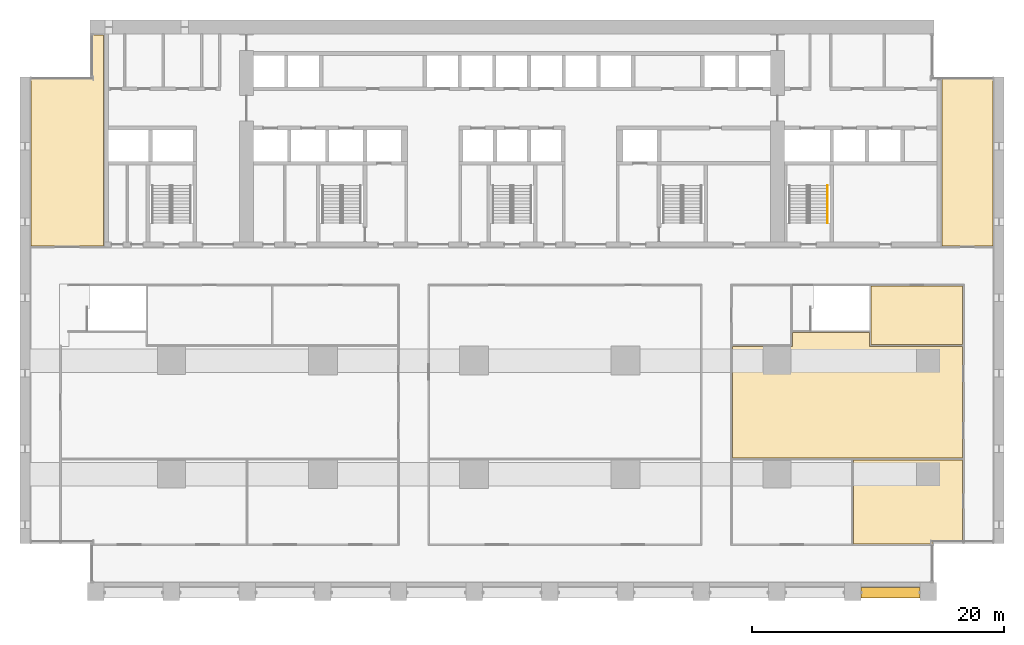
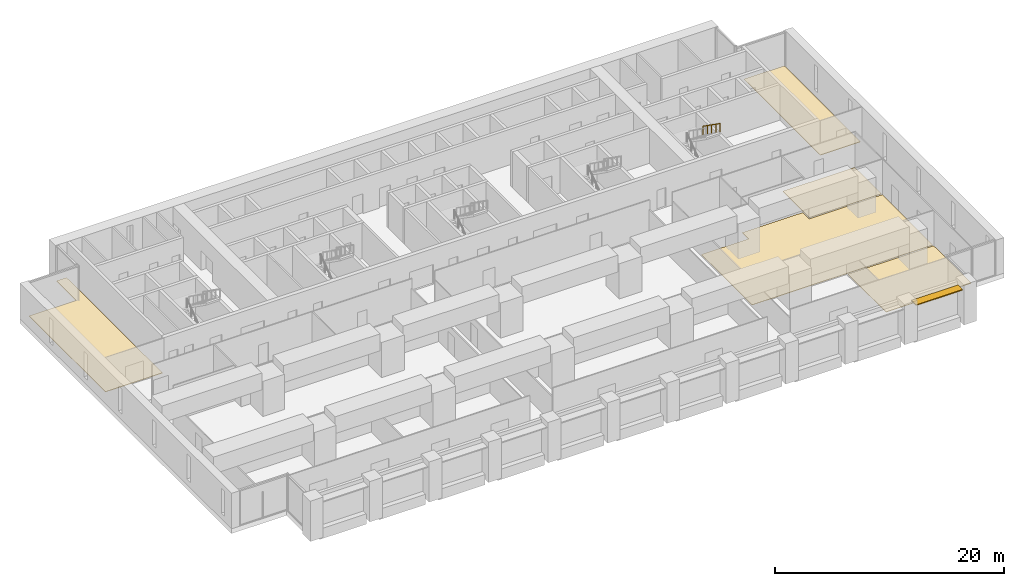
# One storey, part 17 of 17: 5 coverings, 1 railing, 1 shading device, 1 element without a shape of its own.
"""IFC4 building model written with IfcOpenShell, lengths in metres."""

from ifc_helpers import new_model, si_unit, direction, frame, origin, origin_2d, place, context, subcontext, project, spatial, polyline, rectangle, circle, outline, extrude, material, layer, layer_set, material_profile, profile_set, type_object, element, aggregate, save


model = new_model("IFC4")

# Units and contexts
model_context = context("Model", 3, precision=1e-05, world=origin(), true_north=direction((0.0, 1.0)))
body_context = subcontext(model_context, "Body", "Model", "MODEL_VIEW")
ifc_project = project(units=[si_unit("LENGTHUNIT", "METRE"), si_unit("AREAUNIT", "SQUARE_METRE"), si_unit("VOLUMEUNIT", "CUBIC_METRE"), si_unit("PLANEANGLEUNIT", "RADIAN"), si_unit("MASSUNIT", "GRAM", prefix="KILO")], contexts=[model_context])

# Site, building, storey
site_placement = place(None, origin())
site = spatial("IfcSite", under=ifc_project, at=site_placement, CompositionType="ELEMENT")
building_placement = place(site_placement, origin())
building = spatial("IfcBuilding", under=site, at=building_placement, Name="Calvaro Tower", CompositionType="ELEMENT")
storey_placement = place(building_placement, frame((0.0, 0.0, 17.89990234375)))
storey = spatial("IfcBuildingStorey", under=building, at=storey_placement, Name="L03", CompositionType="ELEMENT", Elevation=17.89990234375)

# Shading device
ifc_material_1 = material(Name="Anodised aluminium", Category="aluminium")
ifc_material_profile = material_profile(ifc_material_1, rectangle(XDim=0.800048828125, YDim=0.10009765625, at=origin_2d()), Name="Brise-soleil blade 800 x 100")
ifc_profile_set = profile_set([ifc_material_profile], Name="Anodised aluminium")
shading_device_type = type_object("IfcShadingDeviceType", Name="Brise-soleil blade 800 x 100", PredefinedType="JALOUSIE", material=ifc_profile_set)
shading_device_placement = place(storey_placement, frame((66.64990234375, 0.60009765625, 3.150146484375), z_axis=(1.0, 0.0, 0.0), x_axis=(0.0, 1.0, 0.0)))
element("IfcShadingDevice", 1, at=shading_device_placement, inside=storey, type_object=shading_device_type, Name="Brise-soleil blade 11", PredefinedType="JALOUSIE", context=body_context, shape_type="SweptSolid", body=[
    extrude(rectangle(XDim=0.800048828125, YDim=0.10009765625, at=origin_2d()), origin(), (0.0, 0.0, 1.0), 4.7001953125),
])

# Coverings
ifc_material_2 = material(Name="Cement screed with carpet tile finish")
ifc_layer = layer(ifc_material_2, 0.050048828125)
ifc_layer_set = layer_set([ifc_layer], Name="Cement screed with carpet tile finish")
covering_type = type_object("IfcCoveringType", Name="Floor finish 50", PredefinedType="FLOORING", material=ifc_layer_set)
covering_1_placement = place(storey_placement, origin())
element("IfcCovering", 2, at=covering_1_placement, inside=storey, type_object=covering_type, Name="Floor finish 06.06", PredefinedType="FLOORING", context=body_context, shape_type="SweptSolid", body=[
    extrude(outline(polyline([(66.070068359375, 4.469970703125), (66.070068359375, 11.1298828125), (74.72998046875, 11.1298828125), (74.72998046875, 4.570068359375), (72.3798828125, 4.570068359375), (72.3798828125, 4.469970703125), (66.070068359375, 4.469970703125)])), origin(), (0.0, 0.0, 1.0), 0.050048828125),
])
covering_2_placement = place(storey_placement, origin())
element("IfcCovering", 3, at=covering_2_placement, inside=storey, type_object=covering_type, Name="Floor finish 06.08", PredefinedType="FLOORING", context=body_context, shape_type="SweptSolid", body=[
    extrude(outline(polyline([(56.469970703125, 20.1298828125), (61.219970703125, 20.1298828125), (61.219970703125, 21.22998046875), (67.330078125, 21.22998046875), (67.330078125, 20.1298828125), (74.72998046875, 20.1298828125), (74.72998046875, 11.27001953125), (56.469970703125, 11.27001953125), (56.469970703125, 20.1298828125)])), origin(), (0.0, 0.0, 1.0), 0.050048828125),
])
covering_3_placement = place(storey_placement, origin())
element("IfcCovering", 4, at=covering_3_placement, inside=storey, type_object=covering_type, Name="Floor finish 06.13", PredefinedType="FLOORING", context=body_context, shape_type="SweptSolid", body=[
    extrude(outline(polyline([(67.469970703125, 20.27001953125), (67.469970703125, 24.929931640625), (74.72998046875, 24.929931640625), (74.72998046875, 20.27001953125), (67.469970703125, 20.27001953125)])), origin(), (0.0, 0.0, 1.0), 0.050048828125),
])
covering_4_placement = place(storey_placement, origin())
element("IfcCovering", 5, at=covering_4_placement, inside=storey, type_object=covering_type, Name="Floor finish 06.17", PredefinedType="FLOORING", context=body_context, shape_type="SweptSolid", body=[
    extrude(outline(polyline([(6.6298828125, 28.070068359375), (0.8701171875, 28.070068359375), (0.8701171875, 41.429931640625), (5.6201171875, 41.429931640625), (5.6201171875, 44.830078125), (6.6298828125, 44.830078125), (6.6298828125, 28.070068359375)])), origin(), (0.0, 0.0, 1.0), 0.050048828125),
])
covering_5_placement = place(storey_placement, origin())
element("IfcCovering", 6, at=covering_5_placement, inside=storey, type_object=covering_type, Name="Floor finish 06.16", PredefinedType="FLOORING", context=body_context, shape_type="SweptSolid", body=[
    extrude(outline(polyline([(77.1298828125, 28.070068359375), (73.070068359375, 28.070068359375), (73.070068359375, 41.429931640625), (77.1298828125, 41.429931640625), (77.1298828125, 28.070068359375)])), origin(), (0.0, 0.0, 1.0), 0.050048828125),
])

# Stair, railing
ifc_material_3 = material(Name="Concrete C40/50", Category="concrete")
stair_type = type_object("IfcStairType", Name="Exit stair 1400 2 flights", PredefinedType="HALF_TURN_STAIR", material=ifc_material_3)
stair_placement = place(storey_placement, origin())
stair = element("IfcStair", 7, at=stair_placement, inside=storey, type_object=stair_type, Name="Exit stair S5", PredefinedType="HALF_TURN_STAIR")
ifc_material_4 = material(Name="Stainless steel", Category="steel")
railing_type = type_object("IfcRailingType", Name="Stair handrail", PredefinedType="HANDRAIL", material=ifc_material_4)
railing_placement = place(storey_placement, frame((64.0, 32.89990234375, 2.47705078125)))
railing = element("IfcRailing", 8, at=railing_placement, type_object=railing_type, Name="Exit stair 5 handrail", PredefinedType="HANDRAIL", context=body_context, shape_type="SweptSolid", body=[
    extrude(circle(Radius=0.02392578125, at=origin_2d()), frame((0.0, 0.0, 0.8759765625), z_axis=(0.0, -0.816275066873, 0.577663409955), x_axis=(1.0, 0.0, 0.0)), (0.0, 0.0, 1.0), 3.67529296875),
    extrude(circle(Radius=0.02099609375, at=origin_2d()), frame((0.0, -0.01708984375, 0.01220703125)), (0.0, 0.0, 1.0), 0.851806640625),
    extrude(circle(Radius=0.02099609375, at=origin_2d()), frame((0.0, -0.75, 0.53076171875)), (0.0, 0.0, 1.0), 0.851806640625),
    extrude(circle(Radius=0.02099609375, at=origin_2d()), frame((0.0, -1.5, 1.0615234375)), (0.0, 0.0, 1.0), 0.851806640625),
    extrude(circle(Radius=0.02099609375, at=origin_2d()), frame((0.0, -2.25, 1.59228515625)), (0.0, 0.0, 1.0), 0.851806640625),
    extrude(circle(Radius=0.02099609375, at=origin_2d()), frame((0.0, -2.98291015625, 2.11083984375)), (0.0, 0.0, 1.0), 0.851806640625),
])
aggregate(stair, [railing])

save(model, "model.ifc")
